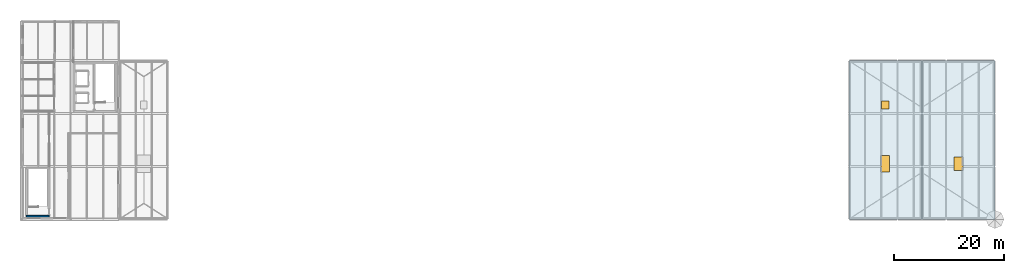
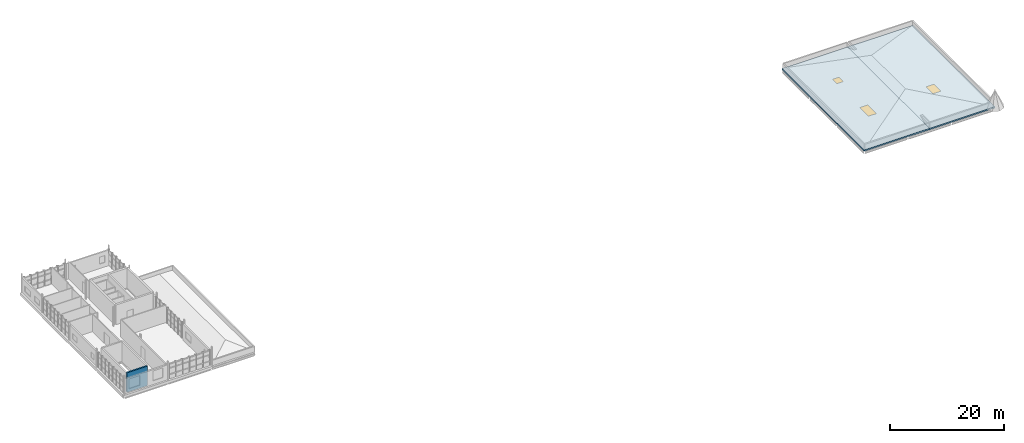
# One storey, part 12 of 16: 2 slabs, 2 windows, 1 door, 1 wall, 3 openings.
"""IFC4 building model written with IfcOpenShell, lengths in metres."""

from ifc_helpers import new_model, si_unit, direction, frame, frame_2d, origin, origin_2d, place, context, subcontext, project, spatial, polyline, rectangle, outline, extrude, material, layer, layer_set, type_object, element, fill, save


model = new_model("IFC4")

# Units and contexts
model_context = context("Model", 3, precision=1e-05, world=origin(), true_north=direction((0.0, 1.0)))
body_context = subcontext(model_context, "Body", "Model", "MODEL_VIEW")
ifc_project = project(units=[si_unit("LENGTHUNIT", "METRE"), si_unit("AREAUNIT", "SQUARE_METRE"), si_unit("VOLUMEUNIT", "CUBIC_METRE"), si_unit("PLANEANGLEUNIT", "RADIAN"), si_unit("MASSUNIT", "GRAM", prefix="KILO")], contexts=[model_context])

# Site, building, storey
site_placement = place(None, origin())
site = spatial("IfcSite", under=ifc_project, at=site_placement, CompositionType="ELEMENT")
building_placement = place(site_placement, origin())
building = spatial("IfcBuilding", under=site, at=building_placement, Name="Yeouljin Market Hall", CompositionType="ELEMENT")
storey_placement = place(building_placement, frame((0.0, 0.0, 19.199951171875)))
storey = spatial("IfcBuildingStorey", under=building, at=storey_placement, Name="L04", CompositionType="ELEMENT", Elevation=19.199951171875)

# Slab, openings, door, window
ifc_material_1 = material(Name="Concrete C30/37", Category="concrete")
ifc_layer_1 = layer(ifc_material_1, 0.2900390625)
ifc_layer_set_1 = layer_set([ifc_layer_1], Name="Concrete C30/37")
slab_type = type_object("IfcSlabType", Name="SLB_ROOF_225", PredefinedType="ROOF", material=ifc_layer_set_1)
slab_1_placement = place(storey_placement, frame((0.0, 0.0, -0.280029296875)))
slab_1 = element("IfcSlab", 1, at=slab_1_placement, inside=storey, type_object=slab_type, Name="Wing structural roof slab RSLB-V3-TOP1", PredefinedType="ROOF", context=body_context, shape_type="SweptSolid", body=[
    extrude(outline(polyline([(149.909912109375, 0.0), (163.14990234375, 0.0), (163.14990234375, 28.800048828125), (149.909912109375, 28.800048828125), (149.909912109375, 0.0)])), origin(), (0.0, 0.0, 1.0), 0.2900390625),
])
opening_1_placement = place(slab_1_placement, frame((156.530029296875, 10.080078125, 0.0)))
opening_1 = element("IfcOpeningElement", 2, at=opening_1_placement, cuts=slab_1, Name="Opening SK-06", PredefinedType="OPENING", context=body_context, shape_type="SweptSolid", body=[
    extrude(rectangle(XDim=1.60009765625, YDim=3.0, at=origin_2d()), origin(), (0.0, 0.0, 1.0), 0.2900390625),
])
opening_2_placement = place(slab_1_placement, frame((156.530029296875, 20.736083984375, 0.0)))
opening_2 = element("IfcOpeningElement", 3, at=opening_2_placement, cuts=slab_1, Name="Opening HT-08", PredefinedType="OPENING", context=body_context, shape_type="SweptSolid", body=[
    extrude(rectangle(XDim=1.300048828125, YDim=1.5, at=origin_2d()), origin(), (0.0, 0.0, 1.0), 0.2900390625),
])
ifc_material_2 = material(Name="Galvanised Painted Steel", Category="steel")
door_type = type_object("IfcDoorType", Name="DT-HT130", OperationType="SINGLE_SWING_LEFT", PredefinedType="TRAPDOOR", material=ifc_material_2)
door_placement = place(opening_2_placement, frame((0.0, 0.0, 0.239990234375)))
door = element("IfcDoor", 4, at=door_placement, inside=storey, type_object=door_type, Name="Roof maintenance access hatch HT-08", OperationType="SINGLE_SWING_LEFT", OverallHeight=1.5, OverallWidth=1.300048828125, PredefinedType="TRAPDOOR", context=body_context, shape_type="SweptSolid", body=[
    extrude(rectangle(XDim=1.300048828125, YDim=1.5, at=origin_2d()), origin(), (0.0, 0.0, 1.0), 0.050048828125),
])
fill(opening_2, door)
ifc_material_3 = material(Name="Low-E Insulated Glass", Category="glass")
window_type_1 = type_object("IfcWindowType", Name="Skylight_1600x3000", PartitioningType="SINGLE_PANEL", PredefinedType="SKYLIGHT", material=ifc_material_3)
window_1_placement = place(opening_1_placement, frame((0.0, 0.0, 0.239990234375)))
window_1 = element("IfcWindow", 5, at=window_1_placement, inside=storey, type_object=window_type_1, Name="Roof skylight 12", OverallHeight=3.0, OverallWidth=1.60009765625, PartitioningType="SINGLE_PANEL", PredefinedType="SKYLIGHT", context=body_context, shape_type="SweptSolid", body=[
    extrude(rectangle(XDim=1.60009765625, YDim=3.0, at=origin_2d()), origin(), (0.0, 0.0, 1.0), 0.050048828125),
])
fill(opening_1, window_1)

# Slab, opening, window
slab_2_placement = place(storey_placement, frame((0.0, 0.0, -0.280029296875)))
slab_2 = element("IfcSlab", 6, at=slab_2_placement, inside=storey, type_object=slab_type, Name="Wing structural roof slab RSLB-V3-TOP2", PredefinedType="ROOF", context=body_context, shape_type="SweptSolid", body=[
    extrude(outline(polyline([(163.14990234375, 0.0), (176.39990234375, 0.0), (176.39990234375, 28.800048828125), (163.14990234375, 28.800048828125), (163.14990234375, 0.0)])), origin(), (0.0, 0.0, 1.0), 0.2900390625),
])
opening_3_placement = place(slab_2_placement, frame((169.77490234375, 10.080078125, 0.0)))
opening_3 = element("IfcOpeningElement", 7, at=opening_3_placement, cuts=slab_2, Name="Opening SK-01", PredefinedType="OPENING", context=body_context, shape_type="SweptSolid", body=[
    extrude(rectangle(XDim=1.60009765625, YDim=2.39990234375, at=origin_2d()), origin(), (0.0, 0.0, 1.0), 0.2900390625),
])
ifc_material_4 = material(Name="Low-E Insulated Glass", Category="glass")
window_type_2 = type_object("IfcWindowType", Name="Skylight_1600x2400", PartitioningType="SINGLE_PANEL", PredefinedType="SKYLIGHT", material=ifc_material_4)
window_2_placement = place(opening_3_placement, frame((0.0, 0.0, 0.239990234375)))
window_2 = element("IfcWindow", 8, at=window_2_placement, inside=storey, type_object=window_type_2, Name="Roof skylight 13", OverallHeight=2.39990234375, OverallWidth=1.60009765625, PartitioningType="SINGLE_PANEL", PredefinedType="SKYLIGHT", context=body_context, shape_type="SweptSolid", body=[
    extrude(rectangle(XDim=1.60009765625, YDim=2.39990234375, at=origin_2d()), origin(), (0.0, 0.0, 1.0), 0.050048828125),
])
fill(opening_3, window_2)

# Wall
ifc_material_5 = material(Name="Concrete C35/45", Category="concrete")
ifc_layer_2 = layer(ifc_material_5, 0.300048828125)
ifc_layer_set_2 = layer_set([ifc_layer_2], Name="Concrete C35/45")
wall_type = type_object("IfcWallType", Name="Wall_ShaftShear_300", PredefinedType="SHEAR", material=ifc_layer_set_2)
wall_placement = place(storey_placement, frame((0.85009765625, 0.60009765625, 0.0), z_axis=(0.0, 0.0, 1.0), x_axis=(1.0, 0.0, 0.0)))
element("IfcWall", 9, at=wall_placement, inside=storey, type_object=wall_type, Name="Core S7 south shear wall (L04)", PredefinedType="SHEAR", context=body_context, shape_type="SweptSolid", body=[
    extrude(rectangle(XDim=4.099853515625, YDim=0.300048828125, at=frame_2d((2.0498046875, 0.0))), origin(), (0.0, 0.0, 1.0), 4.199951171875),
])

save(model, "model.ifc")
